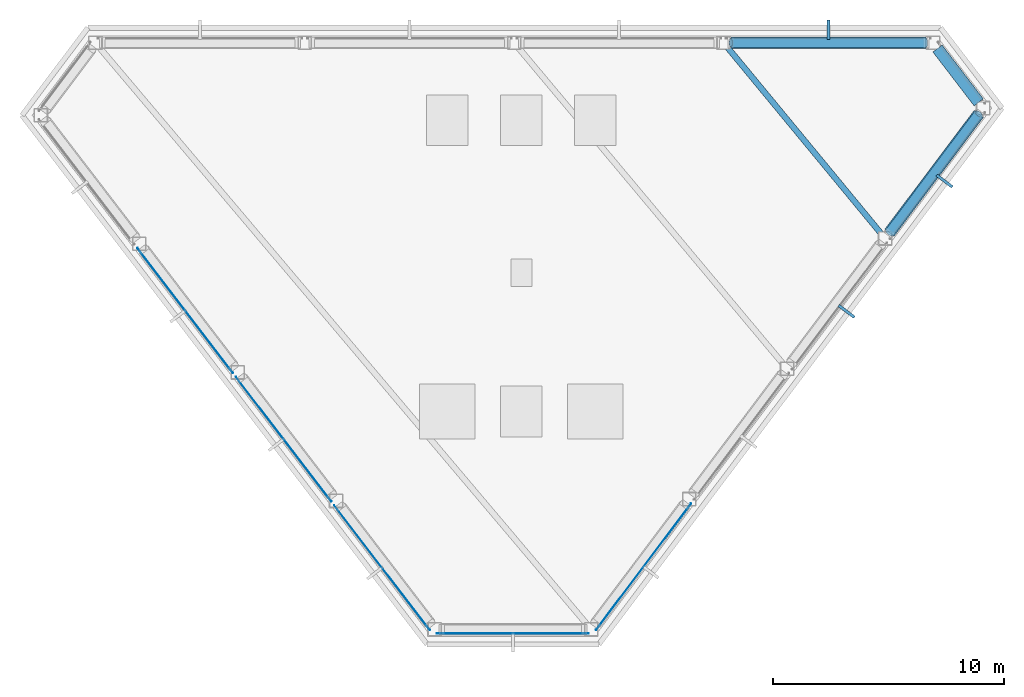
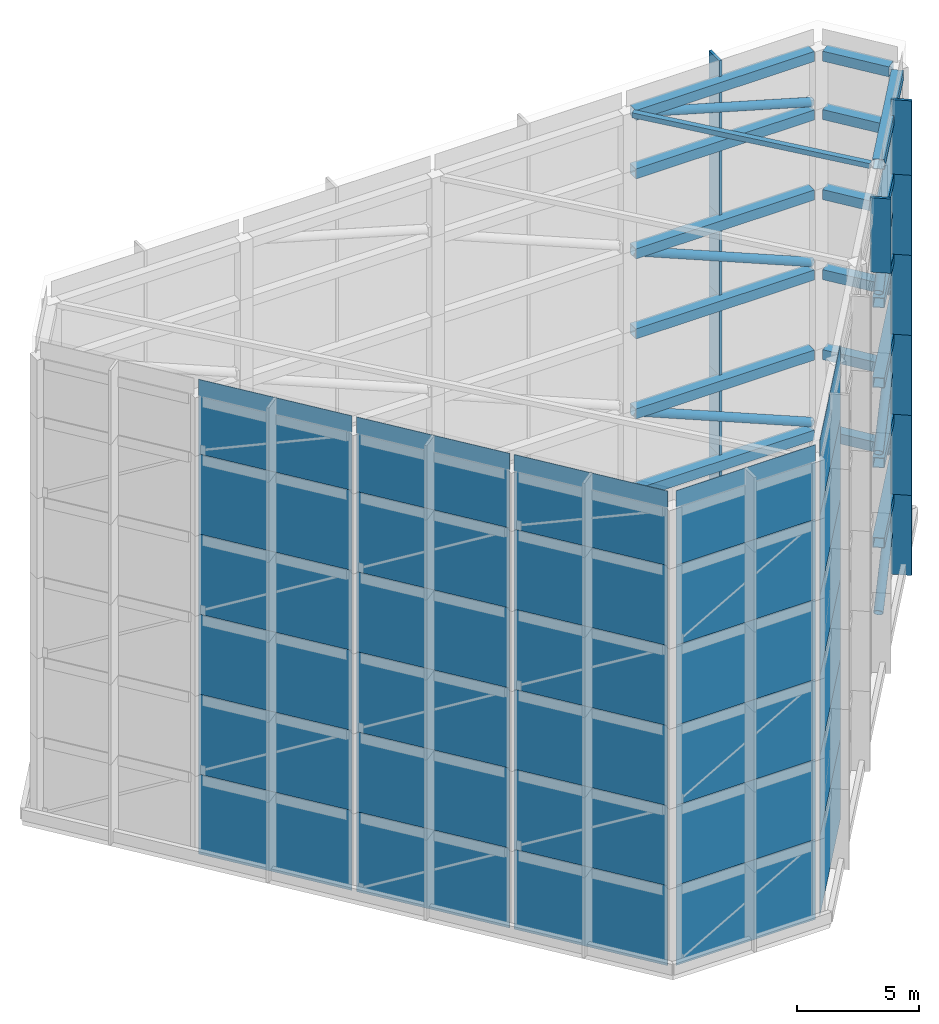
# One storey, part 4 of 6: 30 plates, 20 members, 18 beams, 1 element without a shape of its own.
"""IFC4 building model written with IfcOpenShell, lengths in metres."""

from ifc_helpers import new_model, si_unit, direction, frame, origin, origin_2d, place, context, subcontext, project, spatial, rectangle, hollow_rectangle, hollow_circle, extrude, material, layer, layer_set, material_profile, profile_set, type_object, element, aggregate, save


model = new_model("IFC4")

# Units and contexts
model_context = context("Model", 3, precision=1e-05, world=origin(), true_north=direction((0.0, 1.0)))
body_context = subcontext(model_context, "Body", "Model", "MODEL_VIEW")
ifc_project = project(units=[si_unit("LENGTHUNIT", "METRE"), si_unit("AREAUNIT", "SQUARE_METRE"), si_unit("VOLUMEUNIT", "CUBIC_METRE"), si_unit("PLANEANGLEUNIT", "RADIAN"), si_unit("MASSUNIT", "GRAM", prefix="KILO")], contexts=[model_context])

# Site, building, storey
site_placement = place(None, origin())
site = spatial("IfcSite", under=ifc_project, at=site_placement, CompositionType="ELEMENT")
building_placement = place(site_placement, origin())
building = spatial("IfcBuilding", under=site, at=building_placement, Name="Zarrinselat Tower", CompositionType="ELEMENT")
storey_placement = place(building_placement, frame((0.0, 0.0, 303.280029296875)))
storey = spatial("IfcBuildingStorey", under=building, at=storey_placement, Name="RF", CompositionType="ELEMENT", Elevation=303.280029296875)

# Beams
ifc_material_1 = material(Name="Steel S355J2", Category="steel")
ifc_material_profile_1 = material_profile(ifc_material_1, hollow_rectangle(XDim=0.5, YDim=0.5, WallThickness=0.02490234375, at=origin_2d()), Name="SHS 500x500x25")
ifc_profile_set_1 = profile_set([ifc_material_profile_1], Name="Steel S355J2")
beam_type = type_object("IfcBeamType", Name="BM-CROWN-RING", PredefinedType="BEAM", material=ifc_profile_set_1)
beam_1_placement = place(storey_placement, frame((55.89794921875, 46.75, 3.75), z_axis=(-1.0, 0.0, 0.0), x_axis=(0.0, -1.0, 0.0)))
element("IfcBeam", 1, at=beam_1_placement, inside=storey, type_object=beam_type, Name="RF CROWN FRAME Tier 1 Ring Beam R01", PredefinedType="BEAM", context=body_context, shape_type="SweptSolid", body=[
    extrude(hollow_rectangle(XDim=0.5, YDim=0.5, WallThickness=0.02490234375, at=origin_2d()), origin(), (0.0, 0.0, 1.0), 8.435302734375),
])
beam_2_placement = place(storey_placement, frame((54.32373046875, 38.535400390625, 3.75), z_axis=(0.600832128251, 0.799375227075, 0.0), x_axis=(-0.799375227075, 0.600832128251, 0.0)))
element("IfcBeam", 2, at=beam_2_placement, inside=storey, type_object=beam_type, Name="RF CROWN FRAME Tier 1 Ring Beam R14", PredefinedType="BEAM", context=body_context, shape_type="SweptSolid", body=[
    extrude(hollow_rectangle(XDim=0.5, YDim=0.5, WallThickness=0.02490234375, at=origin_2d()), origin(), (0.0, 0.0, 1.0), 6.4287109375),
])
beam_3_placement = place(storey_placement, frame((58.18408203125, 44.17138671875, 3.75), z_axis=(-0.607888381889, 0.794022490339, 0.0), x_axis=(-0.794022490339, -0.607888381889, 0.0)))
element("IfcBeam", 3, at=beam_3_placement, inside=storey, type_object=beam_type, Name="RF CROWN FRAME Tier 1 Ring Beam R15", PredefinedType="BEAM", context=body_context, shape_type="SweptSolid", body=[
    extrude(hollow_rectangle(XDim=0.5, YDim=0.5, WallThickness=0.02490234375, at=origin_2d()), origin(), (0.0, 0.0, 1.0), 2.935546875),
])
beam_4_placement = place(storey_placement, frame((55.89794921875, 46.75, 7.75), z_axis=(-1.0, 0.0, 0.0), x_axis=(0.0, -1.0, 0.0)))
element("IfcBeam", 4, at=beam_4_placement, inside=storey, type_object=beam_type, Name="RF CROWN FRAME Tier 2 Ring Beam R01", PredefinedType="BEAM", context=body_context, shape_type="SweptSolid", body=[
    extrude(hollow_rectangle(XDim=0.5, YDim=0.5, WallThickness=0.02490234375, at=origin_2d()), origin(), (0.0, 0.0, 1.0), 8.435302734375),
])
beam_5_placement = place(storey_placement, frame((54.32373046875, 38.535400390625, 7.75), z_axis=(0.600832128251, 0.799375227075, 0.0), x_axis=(-0.799375227075, 0.600832128251, 0.0)))
element("IfcBeam", 5, at=beam_5_placement, inside=storey, type_object=beam_type, Name="RF CROWN FRAME Tier 2 Ring Beam R14", PredefinedType="BEAM", context=body_context, shape_type="SweptSolid", body=[
    extrude(hollow_rectangle(XDim=0.5, YDim=0.5, WallThickness=0.02490234375, at=origin_2d()), origin(), (0.0, 0.0, 1.0), 6.4287109375),
])
beam_6_placement = place(storey_placement, frame((58.18408203125, 44.17138671875, 7.75), z_axis=(-0.607888381889, 0.794022490339, 0.0), x_axis=(-0.794022490339, -0.607888381889, 0.0)))
element("IfcBeam", 6, at=beam_6_placement, inside=storey, type_object=beam_type, Name="RF CROWN FRAME Tier 2 Ring Beam R15", PredefinedType="BEAM", context=body_context, shape_type="SweptSolid", body=[
    extrude(hollow_rectangle(XDim=0.5, YDim=0.5, WallThickness=0.02490234375, at=origin_2d()), origin(), (0.0, 0.0, 1.0), 2.935546875),
])
beam_7_placement = place(storey_placement, frame((55.89794921875, 46.75, 11.75), z_axis=(-1.0, 0.0, 0.0), x_axis=(0.0, -1.0, 0.0)))
element("IfcBeam", 7, at=beam_7_placement, inside=storey, type_object=beam_type, Name="RF CROWN FRAME Tier 3 Ring Beam R01", PredefinedType="BEAM", context=body_context, shape_type="SweptSolid", body=[
    extrude(hollow_rectangle(XDim=0.5, YDim=0.5, WallThickness=0.02490234375, at=origin_2d()), origin(), (0.0, 0.0, 1.0), 8.435302734375),
])
beam_8_placement = place(storey_placement, frame((54.32373046875, 38.535400390625, 11.75), z_axis=(0.600832128251, 0.799375227075, 0.0), x_axis=(-0.799375227075, 0.600832128251, 0.0)))
element("IfcBeam", 8, at=beam_8_placement, inside=storey, type_object=beam_type, Name="RF CROWN FRAME Tier 3 Ring Beam R14", PredefinedType="BEAM", context=body_context, shape_type="SweptSolid", body=[
    extrude(hollow_rectangle(XDim=0.5, YDim=0.5, WallThickness=0.02490234375, at=origin_2d()), origin(), (0.0, 0.0, 1.0), 6.4287109375),
])
beam_9_placement = place(storey_placement, frame((58.18408203125, 44.17138671875, 11.75), z_axis=(-0.607888381889, 0.794022490339, 0.0), x_axis=(-0.794022490339, -0.607888381889, 0.0)))
element("IfcBeam", 9, at=beam_9_placement, inside=storey, type_object=beam_type, Name="RF CROWN FRAME Tier 3 Ring Beam R15", PredefinedType="BEAM", context=body_context, shape_type="SweptSolid", body=[
    extrude(hollow_rectangle(XDim=0.5, YDim=0.5, WallThickness=0.02490234375, at=origin_2d()), origin(), (0.0, 0.0, 1.0), 2.935546875),
])
beam_10_placement = place(storey_placement, frame((55.89794921875, 46.75, 15.75), z_axis=(-1.0, 0.0, 0.0), x_axis=(0.0, -1.0, 0.0)))
element("IfcBeam", 10, at=beam_10_placement, inside=storey, type_object=beam_type, Name="RF CROWN FRAME Tier 4 Ring Beam R01", PredefinedType="BEAM", context=body_context, shape_type="SweptSolid", body=[
    extrude(hollow_rectangle(XDim=0.5, YDim=0.5, WallThickness=0.02490234375, at=origin_2d()), origin(), (0.0, 0.0, 1.0), 8.435302734375),
])
beam_11_placement = place(storey_placement, frame((54.32373046875, 38.535400390625, 15.75), z_axis=(0.600832128251, 0.799375227075, 0.0), x_axis=(-0.799375227075, 0.600832128251, 0.0)))
element("IfcBeam", 11, at=beam_11_placement, inside=storey, type_object=beam_type, Name="RF CROWN FRAME Tier 4 Ring Beam R14", PredefinedType="BEAM", context=body_context, shape_type="SweptSolid", body=[
    extrude(hollow_rectangle(XDim=0.5, YDim=0.5, WallThickness=0.02490234375, at=origin_2d()), origin(), (0.0, 0.0, 1.0), 6.4287109375),
])
beam_12_placement = place(storey_placement, frame((58.18408203125, 44.17138671875, 15.75), z_axis=(-0.607888381889, 0.794022490339, 0.0), x_axis=(-0.794022490339, -0.607888381889, 0.0)))
element("IfcBeam", 12, at=beam_12_placement, inside=storey, type_object=beam_type, Name="RF CROWN FRAME Tier 4 Ring Beam R15", PredefinedType="BEAM", context=body_context, shape_type="SweptSolid", body=[
    extrude(hollow_rectangle(XDim=0.5, YDim=0.5, WallThickness=0.02490234375, at=origin_2d()), origin(), (0.0, 0.0, 1.0), 2.935546875),
])
beam_13_placement = place(storey_placement, frame((55.89794921875, 46.75, 19.75), z_axis=(-1.0, 0.0, 0.0), x_axis=(0.0, -1.0, 0.0)))
element("IfcBeam", 13, at=beam_13_placement, inside=storey, type_object=beam_type, Name="RF CROWN FRAME Tier 5 Ring Beam R01", PredefinedType="BEAM", context=body_context, shape_type="SweptSolid", body=[
    extrude(hollow_rectangle(XDim=0.5, YDim=0.5, WallThickness=0.02490234375, at=origin_2d()), origin(), (0.0, 0.0, 1.0), 8.435302734375),
])
beam_14_placement = place(storey_placement, frame((54.32373046875, 38.535400390625, 19.75), z_axis=(0.600832128251, 0.799375227075, 0.0), x_axis=(-0.799375227075, 0.600832128251, 0.0)))
element("IfcBeam", 14, at=beam_14_placement, inside=storey, type_object=beam_type, Name="RF CROWN FRAME Tier 5 Ring Beam R14", PredefinedType="BEAM", context=body_context, shape_type="SweptSolid", body=[
    extrude(hollow_rectangle(XDim=0.5, YDim=0.5, WallThickness=0.02490234375, at=origin_2d()), origin(), (0.0, 0.0, 1.0), 6.4287109375),
])
beam_15_placement = place(storey_placement, frame((58.18408203125, 44.17138671875, 19.75), z_axis=(-0.607888381889, 0.794022490339, 0.0), x_axis=(-0.794022490339, -0.607888381889, 0.0)))
element("IfcBeam", 15, at=beam_15_placement, inside=storey, type_object=beam_type, Name="RF CROWN FRAME Tier 5 Ring Beam R15", PredefinedType="BEAM", context=body_context, shape_type="SweptSolid", body=[
    extrude(hollow_rectangle(XDim=0.5, YDim=0.5, WallThickness=0.02490234375, at=origin_2d()), origin(), (0.0, 0.0, 1.0), 2.935546875),
])
beam_16_placement = place(storey_placement, frame((55.89794921875, 46.75, 22.669921875), z_axis=(-1.0, 0.0, 0.0), x_axis=(0.0, -1.0, 0.0)))
element("IfcBeam", 16, at=beam_16_placement, inside=storey, type_object=beam_type, Name="RF CROWN FRAME Tier 6 Ring Beam R01", PredefinedType="BEAM", context=body_context, shape_type="SweptSolid", body=[
    extrude(hollow_rectangle(XDim=0.5, YDim=0.5, WallThickness=0.02490234375, at=origin_2d()), origin(), (0.0, 0.0, 1.0), 8.435302734375),
])
beam_17_placement = place(storey_placement, frame((54.32373046875, 38.535400390625, 22.669921875), z_axis=(0.600832128251, 0.799375227075, 0.0), x_axis=(-0.799375227075, 0.600832128251, 0.0)))
element("IfcBeam", 17, at=beam_17_placement, inside=storey, type_object=beam_type, Name="RF CROWN FRAME Tier 6 Ring Beam R14", PredefinedType="BEAM", context=body_context, shape_type="SweptSolid", body=[
    extrude(hollow_rectangle(XDim=0.5, YDim=0.5, WallThickness=0.02490234375, at=origin_2d()), origin(), (0.0, 0.0, 1.0), 6.4287109375),
])
beam_18_placement = place(storey_placement, frame((58.18408203125, 44.17138671875, 22.669921875), z_axis=(-0.607888381889, 0.794022490339, 0.0), x_axis=(-0.794022490339, -0.607888381889, 0.0)))
element("IfcBeam", 18, at=beam_18_placement, inside=storey, type_object=beam_type, Name="RF CROWN FRAME Tier 6 Ring Beam R15", PredefinedType="BEAM", context=body_context, shape_type="SweptSolid", body=[
    extrude(hollow_rectangle(XDim=0.5, YDim=0.5, WallThickness=0.02490234375, at=origin_2d()), origin(), (0.0, 0.0, 1.0), 2.935546875),
])

# Members
ifc_material_2 = material(Name="Steel S355J2", Category="steel")
ifc_material_profile_2 = material_profile(ifc_material_2, hollow_rectangle(XDim=0.25, YDim=0.25, WallThickness=0.012451171875, at=origin_2d()), Name="SHS 250x250x12.5")
ifc_profile_set_2 = profile_set([ifc_material_profile_2], Name="Steel S355J2")
member_type_1 = type_object("IfcMemberType", Name="MEM-CAP-PURLIN", PredefinedType="PURLIN", material=ifc_profile_set_2)
member_1_placement = place(storey_placement, frame((47.335205078125, 46.5263671875, 22.794921875), z_axis=(0.636540865627, -0.771242974935, 0.0), x_axis=(0.771242974935, 0.636540865627, 0.0)))
element("IfcMember", 19, at=member_1_placement, inside=storey, type_object=member_type_1, Name="RF CROWN FRAME Cap Purlin 1", PredefinedType="PURLIN", context=body_context, shape_type="SweptSolid", body=[
    extrude(hollow_rectangle(XDim=0.25, YDim=0.25, WallThickness=0.012451171875, at=origin_2d()), origin(), (0.0, 0.0, 1.0), 10.394287109375),
])
ifc_material_3 = material(Name="Steel S355J2", Category="steel")
ifc_material_profile_3 = material_profile(ifc_material_3, hollow_circle(Radius=0.203125, WallThickness=0.01611328125, at=origin_2d()), Name="CHS 406.4x16")
ifc_profile_set_3 = profile_set([ifc_material_profile_3], Name="Steel S355J2")
member_type_2 = type_object("IfcMemberType", Name="MEM-CROWN-BRACE", PredefinedType="BRACE", material=ifc_profile_set_3)
member_2_placement = place(storey_placement, frame((54.32373046875, 38.535400390625, 0.25), z_axis=(0.527693545655, 0.702068228462, 0.478162863947), x_axis=(-0.799375227075, 0.600832128251, 0.0)))
element("IfcMember", 20, at=member_2_placement, inside=storey, type_object=member_type_2, Name="RF CROWN FRAME Tier 1 Diagonal Brace B14", PredefinedType="BRACE", context=body_context, shape_type="SweptSolid", body=[
    extrude(hollow_circle(Radius=0.203125, WallThickness=0.01611328125, at=origin_2d()), origin(), (0.0, 0.0, 1.0), 7.319580078125),
])
member_3_placement = place(storey_placement, frame((55.89794921875, 46.75, 4.25), z_axis=(-0.923647733405, 0.0, 0.383242566238), x_axis=(0.0, -1.0, 0.0)))
element("IfcMember", 21, at=member_3_placement, inside=storey, type_object=member_type_2, Name="RF CROWN FRAME Tier 2 Diagonal Brace B01", PredefinedType="BRACE", context=body_context, shape_type="SweptSolid", body=[
    extrude(hollow_circle(Radius=0.203125, WallThickness=0.01611328125, at=origin_2d()), origin(), (0.0, 0.0, 1.0), 9.132568359375),
])
member_4_placement = place(storey_placement, frame((54.32373046875, 38.535400390625, 8.25), z_axis=(0.527693545655, 0.702068228462, 0.478162863947), x_axis=(-0.799375227075, 0.600832128251, 0.0)))
element("IfcMember", 22, at=member_4_placement, inside=storey, type_object=member_type_2, Name="RF CROWN FRAME Tier 3 Diagonal Brace B14", PredefinedType="BRACE", context=body_context, shape_type="SweptSolid", body=[
    extrude(hollow_circle(Radius=0.203125, WallThickness=0.01611328125, at=origin_2d()), origin(), (0.0, 0.0, 1.0), 7.319580078125),
])
member_5_placement = place(storey_placement, frame((55.89794921875, 46.75, 12.25), z_axis=(-0.923647733405, 0.0, 0.383242566238), x_axis=(0.0, -1.0, 0.0)))
element("IfcMember", 23, at=member_5_placement, inside=storey, type_object=member_type_2, Name="RF CROWN FRAME Tier 4 Diagonal Brace B01", PredefinedType="BRACE", context=body_context, shape_type="SweptSolid", body=[
    extrude(hollow_circle(Radius=0.203125, WallThickness=0.01611328125, at=origin_2d()), origin(), (0.0, 0.0, 1.0), 9.132568359375),
])
member_6_placement = place(storey_placement, frame((54.32373046875, 38.535400390625, 16.25), z_axis=(0.527693545655, 0.702068228462, 0.478162863947), x_axis=(-0.799375227075, 0.600832128251, 0.0)))
element("IfcMember", 24, at=member_6_placement, inside=storey, type_object=member_type_2, Name="RF CROWN FRAME Tier 5 Diagonal Brace B14", PredefinedType="BRACE", context=body_context, shape_type="SweptSolid", body=[
    extrude(hollow_circle(Radius=0.203125, WallThickness=0.01611328125, at=origin_2d()), origin(), (0.0, 0.0, 1.0), 7.319580078125),
])
member_7_placement = place(storey_placement, frame((55.89794921875, 46.75, 20.25), z_axis=(-0.961227336825, 0.0, 0.275757152112), x_axis=(0.0, -1.0, 0.0)))
element("IfcMember", 25, at=member_7_placement, inside=storey, type_object=member_type_2, Name="RF CROWN FRAME Tier 6 Diagonal Brace B01", PredefinedType="BRACE", context=body_context, shape_type="SweptSolid", body=[
    extrude(hollow_circle(Radius=0.203125, WallThickness=0.01611328125, at=origin_2d()), origin(), (0.0, 0.0, 1.0), 8.775634765625),
])

# Curtain wall, members
ifc_material_4 = material(Name="Extruded Aluminium Alloy EN AW-6063 T6", Category="aluminium")
ifc_layer_1 = layer(ifc_material_4, 0.199951171875)
ifc_layer_set_1 = layer_set([ifc_layer_1], Name="Extruded Aluminium Alloy EN AW-6063 T6")
curtain_wall_type = type_object("IfcCurtainWallType", Name="CWS-BLADE", PredefinedType="NOTDEFINED", material=ifc_layer_set_1)
curtain_wall_placement = place(storey_placement, origin())
curtain_wall = element("IfcCurtainWall", 26, at=curtain_wall_placement, inside=storey, type_object=curtain_wall_type, Name="RF Crown Fin Assembly", PredefinedType="NOTDEFINED")
ifc_material_5 = material(Name="Honed Cream Travertine Stone", Category="masonry")
ifc_material_profile_4 = material_profile(ifc_material_5, rectangle(XDim=0.1201171875, YDim=0.85009765625, at=origin_2d()), Name="FIN 850x120")
ifc_profile_set_4 = profile_set([ifc_material_profile_4], Name="Honed Cream Travertine Stone")
member_type_3 = type_object("IfcMemberType", Name="MEM-STONE-FIN", PredefinedType="USERDEFINED", material=ifc_profile_set_4)
member_8_placement = place(storey_placement, frame((51.680419921875, 47.31005859375, 0.0), z_axis=(0.0, 0.0, 1.0), x_axis=(1.0, 0.0, 0.0)))
member_8 = element("IfcMember", 27, at=member_8_placement, type_object=member_type_3, Name="RF CROWN FIN Stone Blade T1-B01", ObjectType="FIN", PredefinedType="USERDEFINED", context=body_context, shape_type="SweptSolid", body=[
    extrude(rectangle(XDim=0.1201171875, YDim=0.85009765625, at=origin_2d()), origin(), (0.0, 0.0, 1.0), 4.0),
])
member_9_placement = place(storey_placement, frame((56.70263671875, 40.768310546875, 0.0), z_axis=(0.0, 0.0, 1.0), x_axis=(-0.600843612135, -0.799366595347, 0.0)))
member_9 = element("IfcMember", 28, at=member_9_placement, type_object=member_type_3, Name="RF CROWN FIN Stone Blade T1-B14", ObjectType="FIN", PredefinedType="USERDEFINED", context=body_context, shape_type="SweptSolid", body=[
    extrude(rectangle(XDim=0.1201171875, YDim=0.85009765625, at=origin_2d()), origin(), (0.0, 0.0, 1.0), 4.0),
])
member_10_placement = place(storey_placement, frame((51.680419921875, 47.31005859375, 4.0), z_axis=(0.0, 0.0, 1.0), x_axis=(1.0, 0.0, 0.0)))
member_10 = element("IfcMember", 29, at=member_10_placement, type_object=member_type_3, Name="RF CROWN FIN Stone Blade T2-B01", ObjectType="FIN", PredefinedType="USERDEFINED", context=body_context, shape_type="SweptSolid", body=[
    extrude(rectangle(XDim=0.1201171875, YDim=0.85009765625, at=origin_2d()), origin(), (0.0, 0.0, 1.0), 4.0),
])
member_11_placement = place(storey_placement, frame((56.70263671875, 40.768310546875, 4.0), z_axis=(0.0, 0.0, 1.0), x_axis=(-0.600843612135, -0.799366595347, 0.0)))
member_11 = element("IfcMember", 30, at=member_11_placement, type_object=member_type_3, Name="RF CROWN FIN Stone Blade T2-B14", ObjectType="FIN", PredefinedType="USERDEFINED", context=body_context, shape_type="SweptSolid", body=[
    extrude(rectangle(XDim=0.1201171875, YDim=0.85009765625, at=origin_2d()), origin(), (0.0, 0.0, 1.0), 4.0),
])
member_12_placement = place(storey_placement, frame((51.680419921875, 47.31005859375, 8.0), z_axis=(0.0, 0.0, 1.0), x_axis=(1.0, 0.0, 0.0)))
member_12 = element("IfcMember", 31, at=member_12_placement, type_object=member_type_3, Name="RF CROWN FIN Stone Blade T3-B01", ObjectType="FIN", PredefinedType="USERDEFINED", context=body_context, shape_type="SweptSolid", body=[
    extrude(rectangle(XDim=0.1201171875, YDim=0.85009765625, at=origin_2d()), origin(), (0.0, 0.0, 1.0), 4.0),
])
member_13_placement = place(storey_placement, frame((56.70263671875, 40.768310546875, 8.0), z_axis=(0.0, 0.0, 1.0), x_axis=(-0.600843612135, -0.799366595347, 0.0)))
member_13 = element("IfcMember", 32, at=member_13_placement, type_object=member_type_3, Name="RF CROWN FIN Stone Blade T3-B14", ObjectType="FIN", PredefinedType="USERDEFINED", context=body_context, shape_type="SweptSolid", body=[
    extrude(rectangle(XDim=0.1201171875, YDim=0.85009765625, at=origin_2d()), origin(), (0.0, 0.0, 1.0), 4.0),
])
member_14_placement = place(storey_placement, frame((51.680419921875, 47.31005859375, 12.0), z_axis=(0.0, 0.0, 1.0), x_axis=(1.0, 0.0, 0.0)))
member_14 = element("IfcMember", 33, at=member_14_placement, type_object=member_type_3, Name="RF CROWN FIN Stone Blade T4-B01", ObjectType="FIN", PredefinedType="USERDEFINED", context=body_context, shape_type="SweptSolid", body=[
    extrude(rectangle(XDim=0.1201171875, YDim=0.85009765625, at=origin_2d()), origin(), (0.0, 0.0, 1.0), 4.0),
])
member_15_placement = place(storey_placement, frame((56.70263671875, 40.768310546875, 12.0), z_axis=(0.0, 0.0, 1.0), x_axis=(-0.600843612135, -0.799366595347, 0.0)))
member_15 = element("IfcMember", 34, at=member_15_placement, type_object=member_type_3, Name="RF CROWN FIN Stone Blade T4-B14", ObjectType="FIN", PredefinedType="USERDEFINED", context=body_context, shape_type="SweptSolid", body=[
    extrude(rectangle(XDim=0.1201171875, YDim=0.85009765625, at=origin_2d()), origin(), (0.0, 0.0, 1.0), 4.0),
])
member_16_placement = place(storey_placement, frame((51.680419921875, 47.31005859375, 16.0), z_axis=(0.0, 0.0, 1.0), x_axis=(1.0, 0.0, 0.0)))
member_16 = element("IfcMember", 35, at=member_16_placement, type_object=member_type_3, Name="RF CROWN FIN Stone Blade T5-B01", ObjectType="FIN", PredefinedType="USERDEFINED", context=body_context, shape_type="SweptSolid", body=[
    extrude(rectangle(XDim=0.1201171875, YDim=0.85009765625, at=origin_2d()), origin(), (0.0, 0.0, 1.0), 4.0),
])
member_17_placement = place(storey_placement, frame((56.70263671875, 40.768310546875, 16.0), z_axis=(0.0, 0.0, 1.0), x_axis=(-0.600843612135, -0.799366595347, 0.0)))
member_17 = element("IfcMember", 36, at=member_17_placement, type_object=member_type_3, Name="RF CROWN FIN Stone Blade T5-B14", ObjectType="FIN", PredefinedType="USERDEFINED", context=body_context, shape_type="SweptSolid", body=[
    extrude(rectangle(XDim=0.1201171875, YDim=0.85009765625, at=origin_2d()), origin(), (0.0, 0.0, 1.0), 4.0),
])
member_18_placement = place(storey_placement, frame((51.680419921875, 47.31005859375, 20.0), z_axis=(0.0, 0.0, 1.0), x_axis=(1.0, 0.0, 0.0)))
member_18 = element("IfcMember", 37, at=member_18_placement, type_object=member_type_3, Name="RF CROWN FIN Stone Blade T6-B01", ObjectType="FIN", PredefinedType="USERDEFINED", context=body_context, shape_type="SweptSolid", body=[
    extrude(rectangle(XDim=0.1201171875, YDim=0.85009765625, at=origin_2d()), origin(), (0.0, 0.0, 1.0), 3.719970703125),
])
member_19_placement = place(storey_placement, frame((52.465087890625, 35.130859375, 20.0), z_axis=(0.0, 0.0, 1.0), x_axis=(-0.60085267235, -0.799359785159, 0.0)))
member_19 = element("IfcMember", 38, at=member_19_placement, type_object=member_type_3, Name="RF CROWN FIN Stone Blade T6-B13", ObjectType="FIN", PredefinedType="USERDEFINED", context=body_context, shape_type="SweptSolid", body=[
    extrude(rectangle(XDim=0.1201171875, YDim=0.85009765625, at=origin_2d()), origin(), (0.0, 0.0, 1.0), 3.719970703125),
])
member_20_placement = place(storey_placement, frame((56.70263671875, 40.768310546875, 20.0), z_axis=(0.0, 0.0, 1.0), x_axis=(-0.600843612135, -0.799366595347, 0.0)))
member_20 = element("IfcMember", 39, at=member_20_placement, type_object=member_type_3, Name="RF CROWN FIN Stone Blade T6-B14", ObjectType="FIN", PredefinedType="USERDEFINED", context=body_context, shape_type="SweptSolid", body=[
    extrude(rectangle(XDim=0.1201171875, YDim=0.85009765625, at=origin_2d()), origin(), (0.0, 0.0, 1.0), 3.719970703125),
])
aggregate(curtain_wall, [member_8, member_9, member_10, member_11, member_12, member_13, member_14, member_15, member_16, member_17, member_18, member_19, member_20])

# Plates
ifc_material_6 = material(Name="Perforated Architectural Bronze")
ifc_layer_2 = layer(ifc_material_6, 0.02392578125)
ifc_layer_set_2 = layer_set([ifc_layer_2], Name="Perforated Architectural Bronze")
plate_type = type_object("IfcPlateType", Name="PLT-CROWN-SCREEN", PredefinedType="USERDEFINED", material=ifc_layer_set_2)
for number, where, z_axis, x_axis, name in (
    (40, (23.85888671875, 35.1650390625, 0.0), (0.0, 0.0, 1.0), (0.607903188082, -0.794011154783, 0.0), "RF CROWN SCREEN Bronze Mashrabiya Panel T1-B07"),
    (41, (28.1162109375, 29.6044921875, 0.0), (0.0, 0.0, 1.0), (0.607896295562, -0.79401643172, 0.0), "RF CROWN SCREEN Bronze Mashrabiya Panel T1-B08"),
    (42, (32.373291015625, 24.044189453125, 0.0), (0.0, 0.0, 1.0), (0.607896295562, -0.79401643172, 0.0), "RF CROWN SCREEN Bronze Mashrabiya Panel T1-B09"),
):
    element("IfcPlate", number, at=place(storey_placement, frame(where, z_axis=z_axis, x_axis=x_axis)), inside=storey, type_object=plate_type, Name=name, ObjectType="SCREEN", PredefinedType="USERDEFINED", context=body_context, shape_type="SweptSolid", body=[
        extrude(rectangle(XDim=6.802978515625, YDim=0.02392578125, at=origin_2d()), origin(), (0.0, 0.0, 1.0), 4.0),
    ])
plate_1_placement = place(storey_placement, frame((38.0341796875, 21.193359375, 0.0), z_axis=(0.0, 0.0, 1.0), x_axis=(1.0, 0.0, 0.0)))
element("IfcPlate", 43, at=plate_1_placement, inside=storey, type_object=plate_type, Name="RF CROWN SCREEN Bronze Mashrabiya Panel T1-B10", ObjectType="SCREEN", PredefinedType="USERDEFINED", context=body_context, shape_type="SweptSolid", body=[
    extrude(rectangle(XDim=6.578857421875, YDim=0.02392578125, at=origin_2d()), origin(), (0.0, 0.0, 1.0), 4.0),
])
plate_2_placement = place(storey_placement, frame((43.686279296875, 24.083984375, 0.0), z_axis=(0.0, 0.0, 1.0), x_axis=(0.600843612135, 0.799366595347, 0.0)))
element("IfcPlate", 44, at=plate_2_placement, inside=storey, type_object=plate_type, Name="RF CROWN SCREEN Bronze Mashrabiya Panel T1-B11", ObjectType="SCREEN", PredefinedType="USERDEFINED", context=body_context, shape_type="SweptSolid", body=[
    extrude(rectangle(XDim=6.8525390625, YDim=0.02392578125, at=origin_2d()), origin(), (0.0, 0.0, 1.0), 4.0),
])
for number, where, z_axis, x_axis, name in (
    (45, (23.85888671875, 35.1650390625, 4.0), (0.0, 0.0, 1.0), (0.607903188082, -0.794011154783, 0.0), "RF CROWN SCREEN Bronze Mashrabiya Panel T2-B07"),
    (46, (28.1162109375, 29.6044921875, 4.0), (0.0, 0.0, 1.0), (0.607896295562, -0.79401643172, 0.0), "RF CROWN SCREEN Bronze Mashrabiya Panel T2-B08"),
    (47, (32.373291015625, 24.044189453125, 4.0), (0.0, 0.0, 1.0), (0.607896295562, -0.79401643172, 0.0), "RF CROWN SCREEN Bronze Mashrabiya Panel T2-B09"),
):
    element("IfcPlate", number, at=place(storey_placement, frame(where, z_axis=z_axis, x_axis=x_axis)), inside=storey, type_object=plate_type, Name=name, ObjectType="SCREEN", PredefinedType="USERDEFINED", context=body_context, shape_type="SweptSolid", body=[
        extrude(rectangle(XDim=6.802978515625, YDim=0.02392578125, at=origin_2d()), origin(), (0.0, 0.0, 1.0), 4.0),
    ])
plate_3_placement = place(storey_placement, frame((38.0341796875, 21.193359375, 4.0), z_axis=(0.0, 0.0, 1.0), x_axis=(1.0, 0.0, 0.0)))
element("IfcPlate", 48, at=plate_3_placement, inside=storey, type_object=plate_type, Name="RF CROWN SCREEN Bronze Mashrabiya Panel T2-B10", ObjectType="SCREEN", PredefinedType="USERDEFINED", context=body_context, shape_type="SweptSolid", body=[
    extrude(rectangle(XDim=6.578857421875, YDim=0.02392578125, at=origin_2d()), origin(), (0.0, 0.0, 1.0), 4.0),
])
plate_4_placement = place(storey_placement, frame((43.686279296875, 24.083984375, 4.0), z_axis=(0.0, 0.0, 1.0), x_axis=(0.600843612135, 0.799366595347, 0.0)))
element("IfcPlate", 49, at=plate_4_placement, inside=storey, type_object=plate_type, Name="RF CROWN SCREEN Bronze Mashrabiya Panel T2-B11", ObjectType="SCREEN", PredefinedType="USERDEFINED", context=body_context, shape_type="SweptSolid", body=[
    extrude(rectangle(XDim=6.8525390625, YDim=0.02392578125, at=origin_2d()), origin(), (0.0, 0.0, 1.0), 4.0),
])
for number, where, z_axis, x_axis, name in (
    (50, (23.85888671875, 35.1650390625, 8.0), (0.0, 0.0, 1.0), (0.607903188082, -0.794011154783, 0.0), "RF CROWN SCREEN Bronze Mashrabiya Panel T3-B07"),
    (51, (28.1162109375, 29.6044921875, 8.0), (0.0, 0.0, 1.0), (0.607896295562, -0.79401643172, 0.0), "RF CROWN SCREEN Bronze Mashrabiya Panel T3-B08"),
    (52, (32.373291015625, 24.044189453125, 8.0), (0.0, 0.0, 1.0), (0.607896295562, -0.79401643172, 0.0), "RF CROWN SCREEN Bronze Mashrabiya Panel T3-B09"),
):
    element("IfcPlate", number, at=place(storey_placement, frame(where, z_axis=z_axis, x_axis=x_axis)), inside=storey, type_object=plate_type, Name=name, ObjectType="SCREEN", PredefinedType="USERDEFINED", context=body_context, shape_type="SweptSolid", body=[
        extrude(rectangle(XDim=6.802978515625, YDim=0.02392578125, at=origin_2d()), origin(), (0.0, 0.0, 1.0), 4.0),
    ])
plate_5_placement = place(storey_placement, frame((38.0341796875, 21.193359375, 8.0), z_axis=(0.0, 0.0, 1.0), x_axis=(1.0, 0.0, 0.0)))
element("IfcPlate", 53, at=plate_5_placement, inside=storey, type_object=plate_type, Name="RF CROWN SCREEN Bronze Mashrabiya Panel T3-B10", ObjectType="SCREEN", PredefinedType="USERDEFINED", context=body_context, shape_type="SweptSolid", body=[
    extrude(rectangle(XDim=6.578857421875, YDim=0.02392578125, at=origin_2d()), origin(), (0.0, 0.0, 1.0), 4.0),
])
plate_6_placement = place(storey_placement, frame((43.686279296875, 24.083984375, 8.0), z_axis=(0.0, 0.0, 1.0), x_axis=(0.600843612135, 0.799366595347, 0.0)))
element("IfcPlate", 54, at=plate_6_placement, inside=storey, type_object=plate_type, Name="RF CROWN SCREEN Bronze Mashrabiya Panel T3-B11", ObjectType="SCREEN", PredefinedType="USERDEFINED", context=body_context, shape_type="SweptSolid", body=[
    extrude(rectangle(XDim=6.8525390625, YDim=0.02392578125, at=origin_2d()), origin(), (0.0, 0.0, 1.0), 4.0),
])
for number, where, z_axis, x_axis, name in (
    (55, (23.85888671875, 35.1650390625, 12.0), (0.0, 0.0, 1.0), (0.607903188082, -0.794011154783, 0.0), "RF CROWN SCREEN Bronze Mashrabiya Panel T4-B07"),
    (56, (28.1162109375, 29.6044921875, 12.0), (0.0, 0.0, 1.0), (0.607896295562, -0.79401643172, 0.0), "RF CROWN SCREEN Bronze Mashrabiya Panel T4-B08"),
    (57, (32.373291015625, 24.044189453125, 12.0), (0.0, 0.0, 1.0), (0.607896295562, -0.79401643172, 0.0), "RF CROWN SCREEN Bronze Mashrabiya Panel T4-B09"),
):
    element("IfcPlate", number, at=place(storey_placement, frame(where, z_axis=z_axis, x_axis=x_axis)), inside=storey, type_object=plate_type, Name=name, ObjectType="SCREEN", PredefinedType="USERDEFINED", context=body_context, shape_type="SweptSolid", body=[
        extrude(rectangle(XDim=6.802978515625, YDim=0.02392578125, at=origin_2d()), origin(), (0.0, 0.0, 1.0), 4.0),
    ])
plate_7_placement = place(storey_placement, frame((38.0341796875, 21.193359375, 12.0), z_axis=(0.0, 0.0, 1.0), x_axis=(1.0, 0.0, 0.0)))
element("IfcPlate", 58, at=plate_7_placement, inside=storey, type_object=plate_type, Name="RF CROWN SCREEN Bronze Mashrabiya Panel T4-B10", ObjectType="SCREEN", PredefinedType="USERDEFINED", context=body_context, shape_type="SweptSolid", body=[
    extrude(rectangle(XDim=6.578857421875, YDim=0.02392578125, at=origin_2d()), origin(), (0.0, 0.0, 1.0), 4.0),
])
plate_8_placement = place(storey_placement, frame((43.686279296875, 24.083984375, 12.0), z_axis=(0.0, 0.0, 1.0), x_axis=(0.600843612135, 0.799366595347, 0.0)))
element("IfcPlate", 59, at=plate_8_placement, inside=storey, type_object=plate_type, Name="RF CROWN SCREEN Bronze Mashrabiya Panel T4-B11", ObjectType="SCREEN", PredefinedType="USERDEFINED", context=body_context, shape_type="SweptSolid", body=[
    extrude(rectangle(XDim=6.8525390625, YDim=0.02392578125, at=origin_2d()), origin(), (0.0, 0.0, 1.0), 4.0),
])
for number, where, z_axis, x_axis, name in (
    (60, (23.85888671875, 35.1650390625, 16.0), (0.0, 0.0, 1.0), (0.607903188082, -0.794011154783, 0.0), "RF CROWN SCREEN Bronze Mashrabiya Panel T5-B07"),
    (61, (28.1162109375, 29.6044921875, 16.0), (0.0, 0.0, 1.0), (0.607896295562, -0.79401643172, 0.0), "RF CROWN SCREEN Bronze Mashrabiya Panel T5-B08"),
    (62, (32.373291015625, 24.044189453125, 16.0), (0.0, 0.0, 1.0), (0.607896295562, -0.79401643172, 0.0), "RF CROWN SCREEN Bronze Mashrabiya Panel T5-B09"),
):
    element("IfcPlate", number, at=place(storey_placement, frame(where, z_axis=z_axis, x_axis=x_axis)), inside=storey, type_object=plate_type, Name=name, ObjectType="SCREEN", PredefinedType="USERDEFINED", context=body_context, shape_type="SweptSolid", body=[
        extrude(rectangle(XDim=6.802978515625, YDim=0.02392578125, at=origin_2d()), origin(), (0.0, 0.0, 1.0), 4.0),
    ])
plate_9_placement = place(storey_placement, frame((38.0341796875, 21.193359375, 16.0), z_axis=(0.0, 0.0, 1.0), x_axis=(1.0, 0.0, 0.0)))
element("IfcPlate", 63, at=plate_9_placement, inside=storey, type_object=plate_type, Name="RF CROWN SCREEN Bronze Mashrabiya Panel T5-B10", ObjectType="SCREEN", PredefinedType="USERDEFINED", context=body_context, shape_type="SweptSolid", body=[
    extrude(rectangle(XDim=6.578857421875, YDim=0.02392578125, at=origin_2d()), origin(), (0.0, 0.0, 1.0), 4.0),
])
plate_10_placement = place(storey_placement, frame((43.686279296875, 24.083984375, 16.0), z_axis=(0.0, 0.0, 1.0), x_axis=(0.600843612135, 0.799366595347, 0.0)))
element("IfcPlate", 64, at=plate_10_placement, inside=storey, type_object=plate_type, Name="RF CROWN SCREEN Bronze Mashrabiya Panel T5-B11", ObjectType="SCREEN", PredefinedType="USERDEFINED", context=body_context, shape_type="SweptSolid", body=[
    extrude(rectangle(XDim=6.8525390625, YDim=0.02392578125, at=origin_2d()), origin(), (0.0, 0.0, 1.0), 4.0),
])
for number, where, z_axis, x_axis, name in (
    (65, (23.85888671875, 35.1650390625, 20.0), (0.0, 0.0, 1.0), (0.607903188082, -0.794011154783, 0.0), "RF CROWN SCREEN Bronze Mashrabiya Panel T6-B07"),
    (66, (28.1162109375, 29.6044921875, 20.0), (0.0, 0.0, 1.0), (0.607896295562, -0.79401643172, 0.0), "RF CROWN SCREEN Bronze Mashrabiya Panel T6-B08"),
    (67, (32.373291015625, 24.044189453125, 20.0), (0.0, 0.0, 1.0), (0.607896295562, -0.79401643172, 0.0), "RF CROWN SCREEN Bronze Mashrabiya Panel T6-B09"),
):
    element("IfcPlate", number, at=place(storey_placement, frame(where, z_axis=z_axis, x_axis=x_axis)), inside=storey, type_object=plate_type, Name=name, ObjectType="SCREEN", PredefinedType="USERDEFINED", context=body_context, shape_type="SweptSolid", body=[
        extrude(rectangle(XDim=6.802978515625, YDim=0.02392578125, at=origin_2d()), origin(), (0.0, 0.0, 1.0), 3.719970703125),
    ])
plate_11_placement = place(storey_placement, frame((38.0341796875, 21.193359375, 20.0), z_axis=(0.0, 0.0, 1.0), x_axis=(1.0, 0.0, 0.0)))
element("IfcPlate", 68, at=plate_11_placement, inside=storey, type_object=plate_type, Name="RF CROWN SCREEN Bronze Mashrabiya Panel T6-B10", ObjectType="SCREEN", PredefinedType="USERDEFINED", context=body_context, shape_type="SweptSolid", body=[
    extrude(rectangle(XDim=6.578857421875, YDim=0.02392578125, at=origin_2d()), origin(), (0.0, 0.0, 1.0), 3.719970703125),
])
plate_12_placement = place(storey_placement, frame((43.686279296875, 24.083984375, 20.0), z_axis=(0.0, 0.0, 1.0), x_axis=(0.600843612135, 0.799366595347, 0.0)))
element("IfcPlate", 69, at=plate_12_placement, inside=storey, type_object=plate_type, Name="RF CROWN SCREEN Bronze Mashrabiya Panel T6-B11", ObjectType="SCREEN", PredefinedType="USERDEFINED", context=body_context, shape_type="SweptSolid", body=[
    extrude(rectangle(XDim=6.8525390625, YDim=0.02392578125, at=origin_2d()), origin(), (0.0, 0.0, 1.0), 3.719970703125),
])

save(model, "model.ifc")
